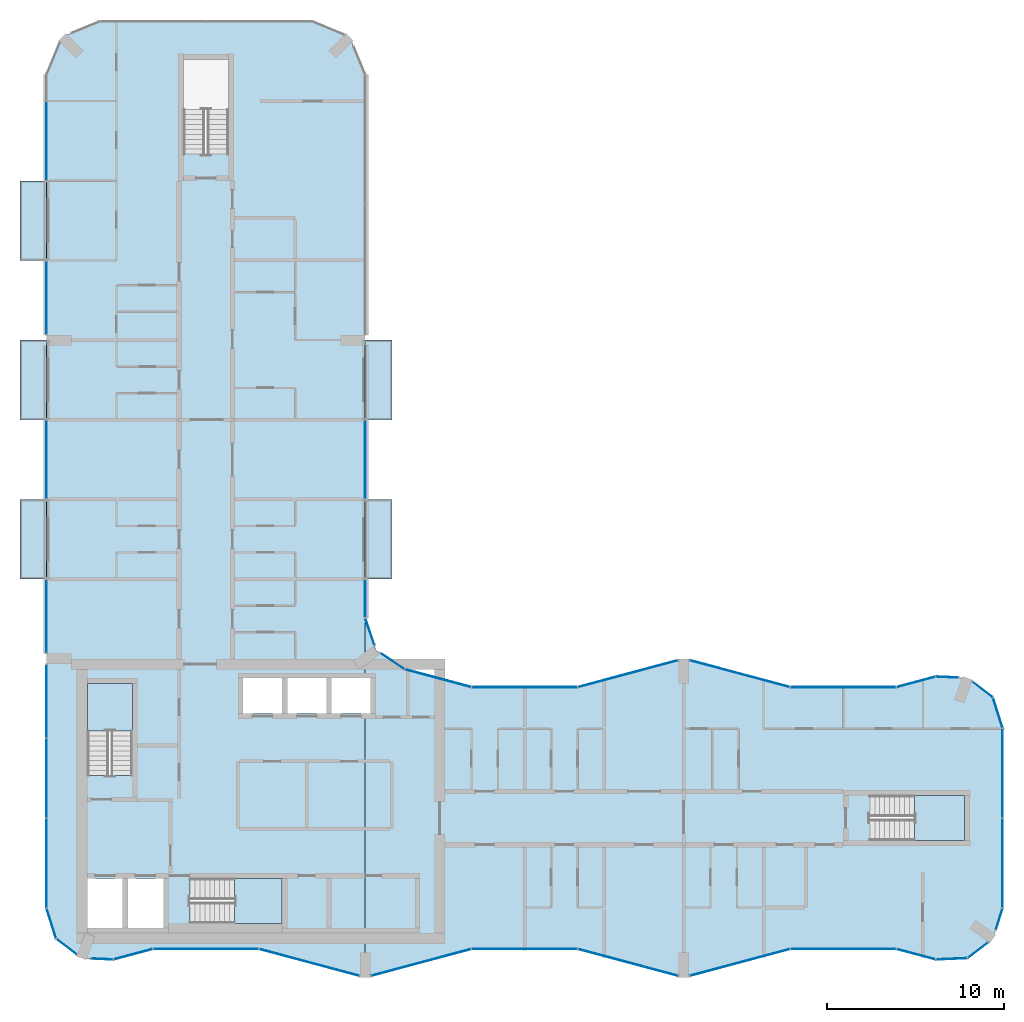
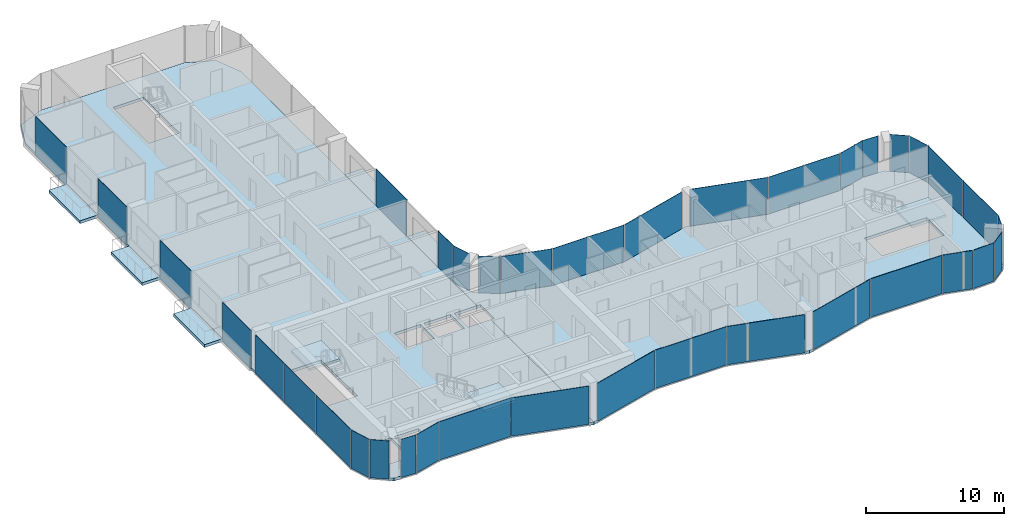
# One storey, part 8 of 16: 37 plates, 10 slabs, 37 elements without a shape of their own.
"""IFC4 building model written with IfcOpenShell, lengths in metres."""

import ifcopenshell
import ifcopenshell.guid

model = None  # the IFC model being written
_history = None  # IfcOwnerHistory: only IFC2X3 demands one
_inside = {}  # id of a spatial element -> (the spatial element, [elements in it])
_under = {}  # id of a project, library or spatial element -> (it, [spatial elements below it])
_declared = {}  # id of a project -> (the project, [libraries it declares])
_typed = {}  # id of a type object -> (the type object, [elements of that type])
_made_of = {}  # id of a material, layer set ... -> (it, [elements and type objects made of it])


def new_model(schema):
    """Start an empty IFC model of exactly this schema.

    Asked for "IFC4X3", IfcOpenShell would pick the latest addendum, in which some entities
    have other attributes; the version numbers below select the first issue.
    IFC2X3 requires an IfcOwnerHistory on every rooted entity: one is made here for all.
    """
    global model, _history
    if schema == "IFC4X3":
        model = ifcopenshell.file(schema_version=(4, 3, 0, 0))
    else:
        model = ifcopenshell.file(schema=schema)
    _inside.clear()
    _under.clear()
    _declared.clear()
    _typed.clear()
    _made_of.clear()
    _history = None
    if model.schema == "IFC2X3":
        org = make("IfcOrganization", Name="unknown")
        user = make(
            "IfcPersonAndOrganization",
            ThePerson=make("IfcPerson", FamilyName="unknown"),
            TheOrganization=org,
        )
        app = make(
            "IfcApplication",
            ApplicationDeveloper=org,
            Version="unknown",
            ApplicationFullName="unknown",
            ApplicationIdentifier="unknown",
        )
        _history = make(
            "IfcOwnerHistory",
            OwningUser=user,
            OwningApplication=app,
            ChangeAction="ADDED",
            CreationDate=0,
        )
    return model


def make(cls, **values):
    """One entity of the class cls with the attributes given. An attribute that is None is left unset."""
    return model.create_entity(
        cls, **{name: value for name, value in values.items() if value is not None}
    )


def rooted(cls, **values):
    """An entity with a GlobalId (a new one), such as an element, a storey or a relation."""
    return make(cls, GlobalId=ifcopenshell.guid.new(), OwnerHistory=_history, **values)


def si_unit(unit_type, name, prefix=None):
    """IfcSIUnit, for example si_unit("LENGTHUNIT", "METRE", prefix="MILLI")."""
    return make("IfcSIUnit", UnitType=unit_type, Prefix=prefix, Name=name)


def assignment(units):
    """IfcUnitAssignment: the units of a project."""
    return None if units is None else make("IfcUnitAssignment", Units=units)


def point(xyz):
    """IfcCartesianPoint."""
    return None if xyz is None else make("IfcCartesianPoint", Coordinates=xyz)


def direction(xyz):
    """IfcDirection."""
    return None if xyz is None else make("IfcDirection", DirectionRatios=xyz)


def frame(location, z_axis=None, x_axis=None):
    """IfcAxis2Placement3D, a coordinate frame: its origin and axes. An axis left out is left unset."""
    return make(
        "IfcAxis2Placement3D",
        Location=point(location),
        Axis=direction(z_axis),
        RefDirection=direction(x_axis),
    )


def frame_2d(location, x_axis=None):
    """IfcAxis2Placement2D, a coordinate frame in the plane: its origin and x axis."""
    return make(
        "IfcAxis2Placement2D", Location=point(location), RefDirection=direction(x_axis)
    )


def origin():
    """The frame at (0, 0, 0) with its axes left unset."""
    return frame((0.0, 0.0, 0.0))


def origin_2d():
    """The frame at (0, 0) in the plane with its x axis left unset."""
    return frame_2d((0.0, 0.0))


def place(relative_to, where):
    """IfcLocalPlacement: puts the frame where relative to a parent placement (None: the world)."""
    return make(
        "IfcLocalPlacement", PlacementRelTo=relative_to, RelativePlacement=where
    )


def context(
    kind, dimensions, precision=None, world=None, true_north=None, identifier=None
):
    """IfcGeometricRepresentationContext, for example the 3D "Model" context."""
    return make(
        "IfcGeometricRepresentationContext",
        ContextIdentifier=identifier,
        ContextType=kind,
        CoordinateSpaceDimension=dimensions,
        Precision=precision,
        WorldCoordinateSystem=world,
        TrueNorth=true_north,
    )


def subcontext(parent, identifier, kind, view, scale=None):
    """IfcGeometricRepresentationSubContext, for example "Body" below "Model"."""
    return make(
        "IfcGeometricRepresentationSubContext",
        ContextIdentifier=identifier,
        ContextType=kind,
        ParentContext=parent,
        TargetScale=scale,
        TargetView=view,
    )


def project(units=None, contexts=None):
    """IfcProject with its units and contexts."""
    return rooted(
        "IfcProject",
        Name="project",
        RepresentationContexts=contexts,
        UnitsInContext=assignment(units),
    )


def spatial(cls, under=None, at=None, **own):
    """A site, building, storey or space (cls), placed at a placement, below another one or the project."""
    s = rooted(cls, ObjectPlacement=at, **own)
    if under is not None:
        _under.setdefault(under.id(), (under, []))[1].append(s)
    return s


def polyline(points):
    """IfcPolyline through the points."""
    return make("IfcPolyline", Points=[point(p) for p in points])


def profile(cls, at=None, kind="AREA", **sizes):
    """A parametric profile (cls). Its sizes go by their IFC names, for example OverallWidth=200.0."""
    return make(cls, ProfileType=kind, Position=at, **sizes)


def rectangle(**sizes):
    """IfcRectangleProfileDef."""
    return profile("IfcRectangleProfileDef", **sizes)


def outline(outer, holes=None, kind="AREA"):
    """IfcArbitraryClosedProfileDef: a profile drawn as a closed curve; with holes, ...WithVoids."""
    if holes is None:
        return make("IfcArbitraryClosedProfileDef", ProfileType=kind, OuterCurve=outer)
    return make(
        "IfcArbitraryProfileDefWithVoids",
        ProfileType=kind,
        OuterCurve=outer,
        InnerCurves=holes,
    )


def extrude(swept, where, along, depth):
    """IfcExtrudedAreaSolid: the profile swept, set in the frame where, extruded along a direction by depth."""
    return make(
        "IfcExtrudedAreaSolid",
        SweptArea=swept,
        Position=where,
        ExtrudedDirection=direction(along),
        Depth=depth,
    )


def shape(context_of_items, identifier, shape_type, items):
    """IfcShapeRepresentation: the items that make up one representation, for example the "Body"."""
    return make(
        "IfcShapeRepresentation",
        ContextOfItems=context_of_items,
        RepresentationIdentifier=identifier,
        RepresentationType=shape_type,
        Items=items,
    )


def material(Name=None, Category=None):
    """IfcMaterial."""
    return make("IfcMaterial", Name=Name, Category=Category)


def layer(
    of_material, thickness, ventilated=None, Name=None, Category=None, Priority=None
):
    """IfcMaterialLayer: one layer of a wall or slab, of a material (None: an air gap)."""
    return make(
        "IfcMaterialLayer",
        Material=of_material,
        LayerThickness=thickness,
        IsVentilated=ventilated,
        Name=Name,
        Category=Category,
        Priority=Priority,
    )


def layer_set(layers, Name=None):
    """IfcMaterialLayerSet."""
    return make("IfcMaterialLayerSet", MaterialLayers=layers, LayerSetName=Name)


def made_of(thing, what):
    """Note that an element or type object is made of a material, layer set ...; save() writes the relation."""
    if what is not None:
        _made_of.setdefault(what.id(), (what, []))[1].append(thing)
    return thing


def type_object(cls, material=None, **own):
    """A type object (cls), such as IfcWallType, which elements share."""
    return made_of(rooted(cls, **own), material)


def element(
    cls,
    number,
    at=None,
    inside=None,
    cuts=None,
    type_object=None,
    material=None,
    context=None,
    identifier="Body",
    shape_type=None,
    held_by="IfcProductDefinitionShape",
    body=None,
    shapes=None,
    **own,
):
    """One element of the class cls, such as IfcWall. Its Tag is "e" and its number.

    at: its placement. inside: the storey or other place that contains it. cuts: it is an
    opening in that element (IfcRelVoidsElement). A single representation is given by context,
    identifier, shape_type and body (its items); several are given by shapes. held_by: the class
    of the entity that holds the representations. save() writes the other relations.
    """
    e = rooted(cls, Tag="e%d" % number, ObjectPlacement=at, **own)
    if body is not None:
        shapes = [shape(context, identifier, shape_type, body)]
    if shapes is not None:
        e.Representation = make(held_by, Representations=shapes)
    if inside is not None:
        _inside.setdefault(inside.id(), (inside, []))[1].append(e)
    if cuts is not None:
        rooted(
            "IfcRelVoidsElement", RelatingBuildingElement=cuts, RelatedOpeningElement=e
        )
    if type_object is not None:
        _typed.setdefault(type_object.id(), (type_object, []))[1].append(e)
    return made_of(e, material)


def aggregate(whole, parts):
    """IfcRelAggregates: a whole, such as a stair, and the parts it consists of."""
    return rooted("IfcRelAggregates", RelatingObject=whole, RelatedObjects=parts)


def save(model, path):
    """Write the relations noted so far, then the file.

    IfcRelAggregates (storeys below a building ...), IfcRelContainedInSpatialStructure (elements
    in a storey), IfcRelDefinesByType, IfcRelAssociatesMaterial and IfcRelDeclares: one each for
    every whole, place, type object, material and project.
    """
    for whole, parts in _under.values():
        aggregate(whole, parts)
    for where, things in _inside.values():
        rooted(
            "IfcRelContainedInSpatialStructure",
            RelatedElements=things,
            RelatingStructure=where,
        )
    for kind, things in _typed.values():
        rooted("IfcRelDefinesByType", RelatedObjects=things, RelatingType=kind)
    for what, things in _made_of.values():
        rooted("IfcRelAssociatesMaterial", RelatedObjects=things, RelatingMaterial=what)
    for by, libraries in _declared.values():
        rooted("IfcRelDeclares", RelatingContext=by, RelatedDefinitions=libraries)
    model.write(path)


model = new_model("IFC4")

# Units and contexts
model_context = context("Model", 3, precision=1e-05, world=origin(), true_north=direction((0.0, 1.0)))
body_context = subcontext(model_context, "Body", "Model", "MODEL_VIEW")
ifc_project = project(units=[si_unit("LENGTHUNIT", "METRE"), si_unit("AREAUNIT", "SQUARE_METRE"), si_unit("VOLUMEUNIT", "CUBIC_METRE"), si_unit("PLANEANGLEUNIT", "RADIAN"), si_unit("MASSUNIT", "GRAM", prefix="KILO")], contexts=[model_context])

# Site, building, storey
site_placement = place(None, origin())
site = spatial("IfcSite", under=ifc_project, at=site_placement, CompositionType="ELEMENT")
building_placement = place(site_placement, origin())
building = spatial("IfcBuilding", under=site, at=building_placement, Name="Plateau Cross Towers", CompositionType="ELEMENT")
storey_placement = place(building_placement, frame((0.0, 0.0, 160.39990234375)))
storey = spatial("IfcBuildingStorey", under=building, at=storey_placement, Name="L41", CompositionType="ELEMENT", Elevation=160.39990234375)

# Slabs
ifc_material_1 = material(Name="Concrete C40/50", Category="concrete")
ifc_layer_1 = layer(ifc_material_1, 0.25)
ifc_layer_set_1 = layer_set([ifc_layer_1], Name="Concrete C40/50")
slab_type_1 = type_object("IfcSlabType", Name="Balcony slab 250", PredefinedType="FLOOR", material=ifc_layer_set_1)
slab_1_placement = place(storey_placement, frame((0.0, 0.0, -0.25)))
element("IfcSlab", 1, at=slab_1_placement, inside=storey, type_object=slab_type_1, Name="Balcony slab A-BAL-L41-01", PredefinedType="FLOOR", context=body_context, shape_type="SweptSolid", body=[
    extrude(outline(polyline([(0.0, 22.5), (0.0, 27.0), (-1.5, 27.0), (-1.5, 22.5), (0.0, 22.5)])), origin(), (0.0, 0.0, 1.0), 0.25),
])
slab_2_placement = place(storey_placement, frame((0.0, 0.0, -0.25)))
element("IfcSlab", 2, at=slab_2_placement, inside=storey, type_object=slab_type_1, Name="Balcony slab A-BAL-L41-02", PredefinedType="FLOOR", context=body_context, shape_type="SweptSolid", body=[
    extrude(outline(polyline([(0.0, 31.5), (0.0, 36.0), (-1.5, 36.0), (-1.5, 31.5), (0.0, 31.5)])), origin(), (0.0, 0.0, 1.0), 0.25),
])
slab_3_placement = place(storey_placement, frame((0.0, 0.0, -0.25)))
element("IfcSlab", 3, at=slab_3_placement, inside=storey, type_object=slab_type_1, Name="Balcony slab A-BAL-L41-03", PredefinedType="FLOOR", context=body_context, shape_type="SweptSolid", body=[
    extrude(outline(polyline([(0.0, 40.5), (0.0, 45.0), (-1.5, 45.0), (-1.5, 40.5), (0.0, 40.5)])), origin(), (0.0, 0.0, 1.0), 0.25),
])
slab_4_placement = place(storey_placement, frame((0.0, 0.0, -0.25)))
element("IfcSlab", 4, at=slab_4_placement, inside=storey, type_object=slab_type_1, Name="Balcony slab A-BAL-L41-04", PredefinedType="FLOOR", context=body_context, shape_type="SweptSolid", body=[
    extrude(outline(polyline([(19.5, 22.5), (19.5, 27.0), (18.0, 27.0), (18.0, 22.5), (19.5, 22.5)])), origin(), (0.0, 0.0, 1.0), 0.25),
])
slab_5_placement = place(storey_placement, frame((0.0, 0.0, -0.25)))
element("IfcSlab", 5, at=slab_5_placement, inside=storey, type_object=slab_type_1, Name="Balcony slab A-BAL-L41-05", PredefinedType="FLOOR", context=body_context, shape_type="SweptSolid", body=[
    extrude(outline(polyline([(19.5, 31.5), (19.5, 36.0), (18.0, 36.0), (18.0, 31.5), (19.5, 31.5)])), origin(), (0.0, 0.0, 1.0), 0.25),
])

# Curtain wall, plate
ifc_material_2 = material(Name="Dark low-iron glass", Category="glass")
ifc_layer_2 = layer(ifc_material_2, 0.239990234375)
ifc_layer_set_2 = layer_set([ifc_layer_2], Name="Dark low-iron glass")
curtain_wall_type_1 = type_object("IfcCurtainWallType", Name="Curtain wall flush unitised CW-B", PredefinedType="NOTDEFINED", material=ifc_layer_set_2)
curtain_wall_1_placement = place(storey_placement, origin())
curtain_wall_1 = element("IfcCurtainWall", 6, at=curtain_wall_1_placement, inside=storey, type_object=curtain_wall_type_1, Name="ENV/A/L41/A502_10", PredefinedType="NOTDEFINED")
ifc_layer_3 = layer(ifc_material_2, 0.031982421875)
ifc_layer_set_3 = layer_set([ifc_layer_3], Name="Dark low-iron glass")
plate_type_1 = type_object("IfcPlateType", Name="Glass panel 32 flush unitised", PredefinedType="CURTAIN_PANEL", material=ifc_layer_set_3)
plate_1_placement = place(storey_placement, frame((51.125, 1.05078125, -0.1298828125), z_axis=(0.0, 0.0, 1.0), x_axis=(0.999043701491, 0.043722791671, 0.0)))
plate_1 = element("IfcPlate", 7, at=plate_1_placement, type_object=plate_type_1, Name="CW-B panel 1", PredefinedType="CURTAIN_PANEL", context=body_context, shape_type="SweptSolid", body=[
    extrude(rectangle(XDim=1.744140625, YDim=0.031982421875, at=origin_2d()), origin(), (0.0, 0.0, 1.0), 3.3798828125),
])
aggregate(curtain_wall_1, [plate_1])

curtain_wall_2_placement = place(storey_placement, origin())
curtain_wall_2 = element("IfcCurtainWall", 8, at=curtain_wall_2_placement, inside=storey, type_object=curtain_wall_type_1, Name="ENV/A/L41/A520_11", PredefinedType="NOTDEFINED")
plate_2_placement = place(storey_placement, frame((52.60986328125, 1.5380859375, -0.1298828125), z_axis=(0.0, 0.0, 1.0), x_axis=(0.793315514529, 0.608810721331, 0.0)))
plate_2 = element("IfcPlate", 9, at=plate_2_placement, type_object=plate_type_1, Name="CW-B panel 1", PredefinedType="CURTAIN_PANEL", context=body_context, shape_type="SweptSolid", body=[
    extrude(rectangle(XDim=1.41162109375, YDim=0.031982421875, at=origin_2d()), origin(), (0.0, 0.0, 1.0), 3.3798828125),
])
aggregate(curtain_wall_2, [plate_2])

curtain_wall_3_placement = place(storey_placement, origin())
curtain_wall_3 = element("IfcCurtainWall", 10, at=curtain_wall_3_placement, inside=storey, type_object=curtain_wall_type_1, Name="ENV/A/L41/A536_27", PredefinedType="NOTDEFINED")
plate_3_placement = place(storey_placement, frame((53.805419921875, 3.292236328125, -0.1298828125), z_axis=(0.0, 0.0, 1.0), x_axis=(0.300686174994, 0.95372313811, 0.0)))
plate_3 = element("IfcPlate", 11, at=plate_3_placement, type_object=plate_type_1, Name="CW-B panel 1", PredefinedType="CURTAIN_PANEL", context=body_context, shape_type="SweptSolid", body=[
    extrude(rectangle(XDim=1.233642578125, YDim=0.031982421875, at=origin_2d()), origin(), (0.0, 0.0, 1.0), 3.3798828125),
])
aggregate(curtain_wall_3, [plate_3])

# Curtain wall, plates
curtain_wall_4_placement = place(storey_placement, origin())
curtain_wall_4 = element("IfcCurtainWall", 12, at=curtain_wall_4_placement, inside=storey, type_object=curtain_wall_type_1, Name="ENV/A/L41/A540_39", PredefinedType="NOTDEFINED")
plate_4_placement = place(storey_placement, frame((54.0, 6.45458984375, -0.1298828125), z_axis=(0.0, 0.0, 1.0), x_axis=(0.0, 1.0, 0.0)))
plate_4 = element("IfcPlate", 13, at=plate_4_placement, type_object=plate_type_1, Name="CW-B panel 1", PredefinedType="CURTAIN_PANEL", context=body_context, shape_type="SweptSolid", body=[
    extrude(rectangle(XDim=5.03076171875, YDim=0.031982421875, at=origin_2d()), origin(), (0.0, 0.0, 1.0), 3.3798828125),
])
plate_5_placement = place(storey_placement, frame((54.0, 11.54541015625, -0.1298828125), z_axis=(0.0, 0.0, 1.0), x_axis=(0.0, 1.0, 0.0)))
plate_5 = element("IfcPlate", 14, at=plate_5_placement, type_object=plate_type_1, Name="CW-B panel 2", PredefinedType="CURTAIN_PANEL", context=body_context, shape_type="SweptSolid", body=[
    extrude(rectangle(XDim=5.03076171875, YDim=0.031982421875, at=origin_2d()), origin(), (0.0, 0.0, 1.0), 3.3798828125),
])
aggregate(curtain_wall_4, [plate_4, plate_5])

# Curtain wall, plate
curtain_wall_5_placement = place(storey_placement, origin())
curtain_wall_5 = element("IfcCurtainWall", 15, at=curtain_wall_5_placement, inside=storey, type_object=curtain_wall_type_1, Name="ENV/A/L41/A540_141", PredefinedType="NOTDEFINED")
plate_6_placement = place(storey_placement, frame((53.728759765625, 14.951171875, -0.1298828125), z_axis=(0.0, 0.0, 1.0), x_axis=(-0.300686174994, 0.95372313811, 0.0)))
plate_6 = element("IfcPlate", 16, at=plate_6_placement, type_object=plate_type_1, Name="CW-B panel 1", PredefinedType="CURTAIN_PANEL", context=body_context, shape_type="SweptSolid", body=[
    extrude(rectangle(XDim=1.744140625, YDim=0.031982421875, at=origin_2d()), origin(), (0.0, 0.0, 1.0), 3.3798828125),
])
aggregate(curtain_wall_5, [plate_6])

curtain_wall_6_placement = place(storey_placement, origin())
curtain_wall_6 = element("IfcCurtainWall", 17, at=curtain_wall_6_placement, inside=storey, type_object=curtain_wall_type_1, Name="ENV/A/L41/A535_158", PredefinedType="NOTDEFINED")
plate_7_placement = place(storey_placement, frame((52.873779296875, 16.25927734375, -0.1298828125), z_axis=(0.0, 0.0, 1.0), x_axis=(-0.793315514529, 0.608810721331, 0.0)))
plate_7 = element("IfcPlate", 18, at=plate_7_placement, type_object=plate_type_1, Name="CW-B panel 1", PredefinedType="CURTAIN_PANEL", context=body_context, shape_type="SweptSolid", body=[
    extrude(rectangle(XDim=1.41162109375, YDim=0.031982421875, at=origin_2d()), origin(), (0.0, 0.0, 1.0), 3.3798828125),
])
aggregate(curtain_wall_6, [plate_7])

curtain_wall_7_placement = place(storey_placement, origin())
curtain_wall_7 = element("IfcCurtainWall", 19, at=curtain_wall_7_placement, inside=storey, type_object=curtain_wall_type_1, Name="ENV/A/L41/A515_169", PredefinedType="NOTDEFINED")
plate_8_placement = place(storey_placement, frame((50.8701171875, 16.96044921875, -0.1298828125), z_axis=(0.0, 0.0, 1.0), x_axis=(-0.999043701491, 0.043722791671, 0.0)))
plate_8 = element("IfcPlate", 20, at=plate_8_placement, type_object=plate_type_1, Name="CW-B panel 1", PredefinedType="CURTAIN_PANEL", context=body_context, shape_type="SweptSolid", body=[
    extrude(rectangle(XDim=1.233642578125, YDim=0.031982421875, at=origin_2d()), origin(), (0.0, 0.0, 1.0), 3.3798828125),
])
aggregate(curtain_wall_7, [plate_8])

curtain_wall_8_placement = place(storey_placement, origin())
curtain_wall_8 = element("IfcCurtainWall", 21, at=curtain_wall_8_placement, inside=storey, type_object=curtain_wall_type_1, Name="ENV/A/L41/A202_174", PredefinedType="NOTDEFINED")
plate_9_placement = place(storey_placement, frame((19.546630859375, 17.856689453125, -0.1298828125), z_axis=(0.0, 0.0, 1.0), x_axis=(-0.831521253329, 0.555492938984, 0.0)))
plate_9 = element("IfcPlate", 22, at=plate_9_placement, type_object=plate_type_1, Name="CW-B panel 1", PredefinedType="CURTAIN_PANEL", context=body_context, shape_type="SweptSolid", body=[
    extrude(rectangle(XDim=1.56884765625, YDim=0.031982421875, at=origin_2d()), origin(), (0.0, 0.0, 1.0), 3.3798828125),
])
aggregate(curtain_wall_8, [plate_9])

curtain_wall_9_placement = place(storey_placement, origin())
curtain_wall_9 = element("IfcCurtainWall", 23, at=curtain_wall_9_placement, inside=storey, type_object=curtain_wall_type_1, Name="ENV/A/L41/A185_188", PredefinedType="NOTDEFINED")
plate_10_placement = place(storey_placement, frame((18.26171875, 19.531005859375, -0.1298828125), z_axis=(0.0, 0.0, 1.0), x_axis=(-0.321469161574, 0.94692004845, 0.0)))
plate_10 = element("IfcPlate", 24, at=plate_10_placement, type_object=plate_type_1, Name="CW-B panel 1", PredefinedType="CURTAIN_PANEL", context=body_context, shape_type="SweptSolid", body=[
    extrude(rectangle(XDim=1.56884765625, YDim=0.031982421875, at=origin_2d()), origin(), (0.0, 0.0, 1.0), 3.3798828125),
])
aggregate(curtain_wall_9, [plate_10])

curtain_wall_10_placement = place(storey_placement, origin())
curtain_wall_10 = element("IfcCurtainWall", 25, at=curtain_wall_10_placement, inside=storey, type_object=curtain_wall_type_1, Name="ENV/A/L41/A180_203", PredefinedType="NOTDEFINED")
plate_11_placement = place(storey_placement, frame((18.0, 21.396240234375, -0.1298828125), z_axis=(0.0, 0.0, 1.0), x_axis=(0.0, 1.0, 0.0)))
plate_11 = element("IfcPlate", 26, at=plate_11_placement, type_object=plate_type_1, Name="CW-B panel 1", PredefinedType="CURTAIN_PANEL", context=body_context, shape_type="SweptSolid", body=[
    extrude(rectangle(XDim=2.127685546875, YDim=0.031982421875, at=origin_2d()), origin(), (0.0, 0.0, 1.0), 3.3798828125),
])
aggregate(curtain_wall_10, [plate_11])

curtain_wall_11_placement = place(storey_placement, origin())
curtain_wall_11 = element("IfcCurtainWall", 27, at=curtain_wall_11_placement, inside=storey, type_object=curtain_wall_type_1, Name="ENV/A/L41/A180_270", PredefinedType="NOTDEFINED")
plate_12_placement = place(storey_placement, frame((18.0, 29.25, -0.1298828125), z_axis=(0.0, 0.0, 1.0), x_axis=(0.0, 1.0, 0.0)))
plate_12 = element("IfcPlate", 28, at=plate_12_placement, type_object=plate_type_1, Name="CW-B panel 1", PredefinedType="CURTAIN_PANEL", context=body_context, shape_type="SweptSolid", body=[
    extrude(rectangle(XDim=4.419921875, YDim=0.031982421875, at=origin_2d()), origin(), (0.0, 0.0, 1.0), 3.3798828125),
])
aggregate(curtain_wall_11, [plate_12])

curtain_wall_12_placement = place(storey_placement, origin())
curtain_wall_12 = element("IfcCurtainWall", 29, at=curtain_wall_12_placement, inside=storey, type_object=curtain_wall_type_1, Name="ENV/A/L41/A0_510", PredefinedType="NOTDEFINED")
plate_13_placement = place(storey_placement, frame((0.0, 47.2548828125, -0.1298828125), z_axis=(0.0, 0.0, 1.0), x_axis=(0.0, -1.0, 0.0)))
plate_13 = element("IfcPlate", 30, at=plate_13_placement, type_object=plate_type_1, Name="CW-B panel 2", PredefinedType="CURTAIN_PANEL", context=body_context, shape_type="SweptSolid", body=[
    extrude(rectangle(XDim=4.429931640625, YDim=0.031982421875, at=origin_2d()), origin(), (0.0, 0.0, 1.0), 3.3798828125),
])
aggregate(curtain_wall_12, [plate_13])

curtain_wall_13_placement = place(storey_placement, origin())
curtain_wall_13 = element("IfcCurtainWall", 31, at=curtain_wall_13_placement, inside=storey, type_object=curtain_wall_type_1, Name="ENV/A/L41/A0_405", PredefinedType="NOTDEFINED")
plate_14_placement = place(storey_placement, frame((0.0, 38.39501953125, -0.1298828125), z_axis=(0.0, 0.0, 1.0), x_axis=(0.0, -1.0, 0.0)))
plate_14 = element("IfcPlate", 32, at=plate_14_placement, type_object=plate_type_1, Name="CW-B panel 1", PredefinedType="CURTAIN_PANEL", context=body_context, shape_type="SweptSolid", body=[
    extrude(rectangle(XDim=4.1298828125, YDim=0.031982421875, at=origin_2d()), origin(), (0.0, 0.0, 1.0), 3.3798828125),
])
aggregate(curtain_wall_13, [plate_14])

curtain_wall_14_placement = place(storey_placement, origin())
curtain_wall_14 = element("IfcCurtainWall", 33, at=curtain_wall_14_placement, inside=storey, type_object=curtain_wall_type_1, Name="ENV/A/L41/A0_315", PredefinedType="NOTDEFINED")
plate_15_placement = place(storey_placement, frame((0.0, 29.25, -0.1298828125), z_axis=(0.0, 0.0, 1.0), x_axis=(0.0, -1.0, 0.0)))
plate_15 = element("IfcPlate", 34, at=plate_15_placement, type_object=plate_type_1, Name="CW-B panel 1", PredefinedType="CURTAIN_PANEL", context=body_context, shape_type="SweptSolid", body=[
    extrude(rectangle(XDim=4.419921875, YDim=0.031982421875, at=origin_2d()), origin(), (0.0, 0.0, 1.0), 3.3798828125),
])
aggregate(curtain_wall_14, [plate_15])

curtain_wall_15_placement = place(storey_placement, origin())
curtain_wall_15 = element("IfcCurtainWall", 35, at=curtain_wall_15_placement, inside=storey, type_object=curtain_wall_type_1, Name="ENV/A/L41/A0_225", PredefinedType="NOTDEFINED")
plate_16_placement = place(storey_placement, frame((0.0, 20.39501953125, -0.1298828125), z_axis=(0.0, 0.0, 1.0), x_axis=(0.0, -1.0, 0.0)))
plate_16 = element("IfcPlate", 36, at=plate_16_placement, type_object=plate_type_1, Name="CW-B panel 1", PredefinedType="CURTAIN_PANEL", context=body_context, shape_type="SweptSolid", body=[
    extrude(rectangle(XDim=4.1298828125, YDim=0.031982421875, at=origin_2d()), origin(), (0.0, 0.0, 1.0), 3.3798828125),
])
aggregate(curtain_wall_15, [plate_16])

# Curtain wall, plates
curtain_wall_16_placement = place(storey_placement, origin())
curtain_wall_16 = element("IfcCurtainWall", 37, at=curtain_wall_16_placement, inside=storey, type_object=curtain_wall_type_1, Name="ENV/A/L41/A0_177", PredefinedType="NOTDEFINED")
plate_17_placement = place(storey_placement, frame((0.0, 15.60009765625, -0.1298828125), z_axis=(0.0, 0.0, 1.0), x_axis=(0.0, -1.0, 0.0)))
plate_17 = element("IfcPlate", 38, at=plate_17_placement, type_object=plate_type_1, Name="CW-B panel 1", PredefinedType="CURTAIN_PANEL", context=body_context, shape_type="SweptSolid", body=[
    extrude(rectangle(XDim=4.139892578125, YDim=0.031982421875, at=origin_2d()), origin(), (0.0, 0.0, 1.0), 3.3798828125),
])
plate_18_placement = place(storey_placement, frame((0.0, 11.25, -0.1298828125), z_axis=(0.0, 0.0, 1.0), x_axis=(0.0, -1.0, 0.0)))
plate_18 = element("IfcPlate", 39, at=plate_18_placement, type_object=plate_type_1, Name="CW-B panel 2", PredefinedType="CURTAIN_PANEL", context=body_context, shape_type="SweptSolid", body=[
    extrude(rectangle(XDim=4.43994140625, YDim=0.031982421875, at=origin_2d()), origin(), (0.0, 0.0, 1.0), 3.3798828125),
])
plate_19_placement = place(storey_placement, frame((0.0, 6.45458984375, -0.1298828125), z_axis=(0.0, 0.0, 1.0), x_axis=(0.0, -1.0, 0.0)))
plate_19 = element("IfcPlate", 40, at=plate_19_placement, type_object=plate_type_1, Name="CW-B panel 3", PredefinedType="CURTAIN_PANEL", context=body_context, shape_type="SweptSolid", body=[
    extrude(rectangle(XDim=5.03076171875, YDim=0.031982421875, at=origin_2d()), origin(), (0.0, 0.0, 1.0), 3.3798828125),
])
aggregate(curtain_wall_16, [plate_17, plate_18, plate_19])

# Curtain wall, plate
curtain_wall_17_placement = place(storey_placement, origin())
curtain_wall_17 = element("IfcCurtainWall", 41, at=curtain_wall_17_placement, inside=storey, type_object=curtain_wall_type_1, Name="ENV/A/L41/A0_39", PredefinedType="NOTDEFINED")
plate_20_placement = place(storey_placement, frame((0.271240234375, 3.048828125, -0.1298828125), z_axis=(0.0, 0.0, 1.0), x_axis=(0.300686174994, -0.95372313811, 0.0)))
plate_20 = element("IfcPlate", 42, at=plate_20_placement, type_object=plate_type_1, Name="CW-B panel 1", PredefinedType="CURTAIN_PANEL", context=body_context, shape_type="SweptSolid", body=[
    extrude(rectangle(XDim=1.744140625, YDim=0.031982421875, at=origin_2d()), origin(), (0.0, 0.0, 1.0), 3.3798828125),
])
aggregate(curtain_wall_17, [plate_20])

curtain_wall_18_placement = place(storey_placement, origin())
curtain_wall_18 = element("IfcCurtainWall", 43, at=curtain_wall_18_placement, inside=storey, type_object=curtain_wall_type_1, Name="ENV/A/L41/A5_22", PredefinedType="NOTDEFINED")
plate_21_placement = place(storey_placement, frame((1.126220703125, 1.74072265625, -0.1298828125), z_axis=(0.0, 0.0, 1.0), x_axis=(0.793315514529, -0.608810721331, 0.0)))
plate_21 = element("IfcPlate", 44, at=plate_21_placement, type_object=plate_type_1, Name="CW-B panel 1", PredefinedType="CURTAIN_PANEL", context=body_context, shape_type="SweptSolid", body=[
    extrude(rectangle(XDim=1.41162109375, YDim=0.031982421875, at=origin_2d()), origin(), (0.0, 0.0, 1.0), 3.3798828125),
])
aggregate(curtain_wall_18, [plate_21])

curtain_wall_19_placement = place(storey_placement, origin())
curtain_wall_19 = element("IfcCurtainWall", 45, at=curtain_wall_19_placement, inside=storey, type_object=curtain_wall_type_1, Name="ENV/A/L41/A25_11", PredefinedType="NOTDEFINED")
plate_22_placement = place(storey_placement, frame((3.1298828125, 1.03955078125, -0.1298828125), z_axis=(0.0, 0.0, 1.0), x_axis=(0.999043701491, -0.043722791671, 0.0)))
plate_22 = element("IfcPlate", 46, at=plate_22_placement, type_object=plate_type_1, Name="CW-B panel 1", PredefinedType="CURTAIN_PANEL", context=body_context, shape_type="SweptSolid", body=[
    extrude(rectangle(XDim=1.233642578125, YDim=0.031982421875, at=origin_2d()), origin(), (0.0, 0.0, 1.0), 3.3798828125),
])
aggregate(curtain_wall_19, [plate_22])

ifc_layer_4 = layer(ifc_material_2, 0.260009765625)
ifc_layer_set_4 = layer_set([ifc_layer_4], Name="Dark low-iron glass")
curtain_wall_type_2 = type_object("IfcCurtainWallType", Name="Curtain wall fluted unitised CW-A", PredefinedType="NOTDEFINED", material=ifc_layer_set_4)
curtain_wall_20_placement = place(storey_placement, origin())
curtain_wall_20 = element("IfcCurtainWall", 47, at=curtain_wall_20_placement, inside=storey, type_object=curtain_wall_type_2, Name="ENV/A/L41/A38_10", PredefinedType="NOTDEFINED")
ifc_layer_5 = layer(ifc_material_2, 0.035888671875)
ifc_layer_set_5 = layer_set([ifc_layer_5], Name="Dark low-iron glass")
plate_type_2 = type_object("IfcPlateType", Name="Glass panel 36 fluted unitised", PredefinedType="CURTAIN_PANEL", material=ifc_layer_set_5)
plate_23_placement = place(storey_placement, frame((4.887939453125, 1.30908203125, -0.1298828125), z_axis=(0.0, 0.0, 1.0), x_axis=(0.965957962328, 0.258699081978, 0.0)))
plate_23 = element("IfcPlate", 48, at=plate_23_placement, type_object=plate_type_2, Name="CW-A panel 1", PredefinedType="CURTAIN_PANEL", context=body_context, shape_type="SweptSolid", body=[
    extrude(rectangle(XDim=2.2421875, YDim=0.035888671875, at=origin_2d()), origin(), (0.0, 0.0, 1.0), 3.3798828125),
])
aggregate(curtain_wall_20, [plate_23])

curtain_wall_21_placement = place(storey_placement, origin())
curtain_wall_21 = element("IfcCurtainWall", 49, at=curtain_wall_21_placement, inside=storey, type_object=curtain_wall_type_2, Name="ENV/A/L41/A60_16", PredefinedType="NOTDEFINED")
plate_24_placement = place(storey_placement, frame((9.0, 1.60693359375, -0.1298828125), z_axis=(0.0, 0.0, 1.0), x_axis=(1.0, 0.0, 0.0)))
plate_24 = element("IfcPlate", 50, at=plate_24_placement, type_object=plate_type_2, Name="CW-A panel 1", PredefinedType="CURTAIN_PANEL", context=body_context, shape_type="SweptSolid", body=[
    extrude(rectangle(XDim=5.93994140625, YDim=0.035888671875, at=origin_2d()), origin(), (0.0, 0.0, 1.0), 3.3798828125),
])
aggregate(curtain_wall_21, [plate_24])

curtain_wall_22_placement = place(storey_placement, origin())
curtain_wall_22 = element("IfcCurtainWall", 51, at=curtain_wall_22_placement, inside=storey, type_object=curtain_wall_type_2, Name="ENV/A/L41/A120_16", PredefinedType="NOTDEFINED")
plate_25_placement = place(storey_placement, frame((14.841064453125, 0.845947265625, -0.1298828125), z_axis=(0.0, 0.0, 1.0), x_axis=(0.965957983404, -0.258699003279, 0.0)))
plate_25 = element("IfcPlate", 52, at=plate_25_placement, type_object=plate_type_2, Name="CW-A panel 1", PredefinedType="CURTAIN_PANEL", context=body_context, shape_type="SweptSolid", body=[
    extrude(rectangle(XDim=5.822265625, YDim=0.035888671875, at=origin_2d()), origin(), (0.0, 0.0, 1.0), 3.3798828125),
])
aggregate(curtain_wall_22, [plate_25])

curtain_wall_23_placement = place(storey_placement, origin())
curtain_wall_23 = element("IfcCurtainWall", 53, at=curtain_wall_23_placement, inside=storey, type_object=curtain_wall_type_2, Name="ENV/A/L41/A183_1", PredefinedType="NOTDEFINED")
plate_26_placement = place(storey_placement, frame((21.158935546875, 0.845947265625, -0.1298828125), z_axis=(0.0, 0.0, 1.0), x_axis=(0.965957983404, 0.258699003279, 0.0)))
plate_26 = element("IfcPlate", 54, at=plate_26_placement, type_object=plate_type_2, Name="CW-A panel 1", PredefinedType="CURTAIN_PANEL", context=body_context, shape_type="SweptSolid", body=[
    extrude(rectangle(XDim=5.822265625, YDim=0.035888671875, at=origin_2d()), origin(), (0.0, 0.0, 1.0), 3.3798828125),
])
aggregate(curtain_wall_23, [plate_26])

curtain_wall_24_placement = place(storey_placement, origin())
curtain_wall_24 = element("IfcCurtainWall", 55, at=curtain_wall_24_placement, inside=storey, type_object=curtain_wall_type_2, Name="ENV/A/L41/A240_16", PredefinedType="NOTDEFINED")
plate_27_placement = place(storey_placement, frame((27.0, 1.60693359375, -0.1298828125), z_axis=(0.0, 0.0, 1.0), x_axis=(1.0, 0.0, 0.0)))
plate_27 = element("IfcPlate", 56, at=plate_27_placement, type_object=plate_type_2, Name="CW-A panel 1", PredefinedType="CURTAIN_PANEL", context=body_context, shape_type="SweptSolid", body=[
    extrude(rectangle(XDim=5.93994140625, YDim=0.035888671875, at=origin_2d()), origin(), (0.0, 0.0, 1.0), 3.3798828125),
])
aggregate(curtain_wall_24, [plate_27])

curtain_wall_25_placement = place(storey_placement, origin())
curtain_wall_25 = element("IfcCurtainWall", 57, at=curtain_wall_25_placement, inside=storey, type_object=curtain_wall_type_2, Name="ENV/A/L41/A300_16", PredefinedType="NOTDEFINED")
plate_28_placement = place(storey_placement, frame((32.841064453125, 0.845947265625, -0.1298828125), z_axis=(0.0, 0.0, 1.0), x_axis=(0.965957983404, -0.258699003279, 0.0)))
plate_28 = element("IfcPlate", 58, at=plate_28_placement, type_object=plate_type_2, Name="CW-A panel 1", PredefinedType="CURTAIN_PANEL", context=body_context, shape_type="SweptSolid", body=[
    extrude(rectangle(XDim=5.822265625, YDim=0.035888671875, at=origin_2d()), origin(), (0.0, 0.0, 1.0), 3.3798828125),
])
aggregate(curtain_wall_25, [plate_28])

curtain_wall_26_placement = place(storey_placement, origin())
curtain_wall_26 = element("IfcCurtainWall", 59, at=curtain_wall_26_placement, inside=storey, type_object=curtain_wall_type_2, Name="ENV/A/L41/A363_1", PredefinedType="NOTDEFINED")
plate_29_placement = place(storey_placement, frame((39.158935546875, 0.845947265625, -0.1298828125), z_axis=(0.0, 0.0, 1.0), x_axis=(0.965957983404, 0.258699003279, 0.0)))
plate_29 = element("IfcPlate", 60, at=plate_29_placement, type_object=plate_type_2, Name="CW-A panel 1", PredefinedType="CURTAIN_PANEL", context=body_context, shape_type="SweptSolid", body=[
    extrude(rectangle(XDim=5.822265625, YDim=0.035888671875, at=origin_2d()), origin(), (0.0, 0.0, 1.0), 3.3798828125),
])
aggregate(curtain_wall_26, [plate_29])

curtain_wall_27_placement = place(storey_placement, origin())
curtain_wall_27 = element("IfcCurtainWall", 61, at=curtain_wall_27_placement, inside=storey, type_object=curtain_wall_type_2, Name="ENV/A/L41/A420_16", PredefinedType="NOTDEFINED")
plate_30_placement = place(storey_placement, frame((45.0, 1.60693359375, -0.1298828125), z_axis=(0.0, 0.0, 1.0), x_axis=(1.0, 0.0, 0.0)))
plate_30 = element("IfcPlate", 62, at=plate_30_placement, type_object=plate_type_2, Name="CW-A panel 1", PredefinedType="CURTAIN_PANEL", context=body_context, shape_type="SweptSolid", body=[
    extrude(rectangle(XDim=5.93994140625, YDim=0.035888671875, at=origin_2d()), origin(), (0.0, 0.0, 1.0), 3.3798828125),
])
aggregate(curtain_wall_27, [plate_30])

curtain_wall_28_placement = place(storey_placement, origin())
curtain_wall_28 = element("IfcCurtainWall", 63, at=curtain_wall_28_placement, inside=storey, type_object=curtain_wall_type_2, Name="ENV/A/L41/A480_16", PredefinedType="NOTDEFINED")
plate_31_placement = place(storey_placement, frame((49.112060546875, 1.30908203125, -0.1298828125), z_axis=(0.0, 0.0, 1.0), x_axis=(0.965957962328, -0.258699081978, 0.0)))
plate_31 = element("IfcPlate", 64, at=plate_31_placement, type_object=plate_type_2, Name="CW-A panel 1", PredefinedType="CURTAIN_PANEL", context=body_context, shape_type="SweptSolid", body=[
    extrude(rectangle(XDim=2.2421875, YDim=0.035888671875, at=origin_2d()), origin(), (0.0, 0.0, 1.0), 3.3798828125),
])
aggregate(curtain_wall_28, [plate_31])

curtain_wall_29_placement = place(storey_placement, origin())
curtain_wall_29 = element("IfcCurtainWall", 65, at=curtain_wall_29_placement, inside=storey, type_object=curtain_wall_type_2, Name="ENV/A/L41/A502_170", PredefinedType="NOTDEFINED")
plate_32_placement = place(storey_placement, frame((49.112060546875, 16.69091796875, -0.1298828125), z_axis=(0.0, 0.0, 1.0), x_axis=(-0.965957962328, -0.258699081978, 0.0)))
plate_32 = element("IfcPlate", 66, at=plate_32_placement, type_object=plate_type_2, Name="CW-A panel 1", PredefinedType="CURTAIN_PANEL", context=body_context, shape_type="SweptSolid", body=[
    extrude(rectangle(XDim=2.2421875, YDim=0.035888671875, at=origin_2d()), origin(), (0.0, 0.0, 1.0), 3.3798828125),
])
aggregate(curtain_wall_29, [plate_32])

curtain_wall_30_placement = place(storey_placement, origin())
curtain_wall_30 = element("IfcCurtainWall", 67, at=curtain_wall_30_placement, inside=storey, type_object=curtain_wall_type_2, Name="ENV/A/L41/A480_164", PredefinedType="NOTDEFINED")
plate_33_placement = place(storey_placement, frame((45.0, 16.39306640625, -0.1298828125), z_axis=(0.0, 0.0, 1.0), x_axis=(-1.0, 0.0, 0.0)))
plate_33 = element("IfcPlate", 68, at=plate_33_placement, type_object=plate_type_2, Name="CW-A panel 1", PredefinedType="CURTAIN_PANEL", context=body_context, shape_type="SweptSolid", body=[
    extrude(rectangle(XDim=5.93994140625, YDim=0.035888671875, at=origin_2d()), origin(), (0.0, 0.0, 1.0), 3.3798828125),
])
aggregate(curtain_wall_30, [plate_33])

curtain_wall_31_placement = place(storey_placement, origin())
curtain_wall_31 = element("IfcCurtainWall", 69, at=curtain_wall_31_placement, inside=storey, type_object=curtain_wall_type_2, Name="ENV/A/L41/A420_164", PredefinedType="NOTDEFINED")
plate_34_placement = place(storey_placement, frame((39.158935546875, 17.154052734375, -0.1298828125), z_axis=(0.0, 0.0, 1.0), x_axis=(-0.965957983404, 0.258699003279, 0.0)))
plate_34 = element("IfcPlate", 70, at=plate_34_placement, type_object=plate_type_2, Name="CW-A panel 1", PredefinedType="CURTAIN_PANEL", context=body_context, shape_type="SweptSolid", body=[
    extrude(rectangle(XDim=5.822265625, YDim=0.035888671875, at=origin_2d()), origin(), (0.0, 0.0, 1.0), 3.3798828125),
])
aggregate(curtain_wall_31, [plate_34])

curtain_wall_32_placement = place(storey_placement, origin())
curtain_wall_32 = element("IfcCurtainWall", 71, at=curtain_wall_32_placement, inside=storey, type_object=curtain_wall_type_2, Name="ENV/A/L41/A357_179", PredefinedType="NOTDEFINED")
plate_35_placement = place(storey_placement, frame((32.841064453125, 17.154052734375, -0.1298828125), z_axis=(0.0, 0.0, 1.0), x_axis=(-0.965957983404, -0.258699003279, 0.0)))
plate_35 = element("IfcPlate", 72, at=plate_35_placement, type_object=plate_type_2, Name="CW-A panel 1", PredefinedType="CURTAIN_PANEL", context=body_context, shape_type="SweptSolid", body=[
    extrude(rectangle(XDim=5.822265625, YDim=0.035888671875, at=origin_2d()), origin(), (0.0, 0.0, 1.0), 3.3798828125),
])
aggregate(curtain_wall_32, [plate_35])

curtain_wall_33_placement = place(storey_placement, origin())
curtain_wall_33 = element("IfcCurtainWall", 73, at=curtain_wall_33_placement, inside=storey, type_object=curtain_wall_type_2, Name="ENV/A/L41/A300_164", PredefinedType="NOTDEFINED")
plate_36_placement = place(storey_placement, frame((27.0, 16.39306640625, -0.1298828125), z_axis=(0.0, 0.0, 1.0), x_axis=(-1.0, 0.0, 0.0)))
plate_36 = element("IfcPlate", 74, at=plate_36_placement, type_object=plate_type_2, Name="CW-A panel 1", PredefinedType="CURTAIN_PANEL", context=body_context, shape_type="SweptSolid", body=[
    extrude(rectangle(XDim=5.93994140625, YDim=0.035888671875, at=origin_2d()), origin(), (0.0, 0.0, 1.0), 3.3798828125),
])
aggregate(curtain_wall_33, [plate_36])

curtain_wall_34_placement = place(storey_placement, origin())
curtain_wall_34 = element("IfcCurtainWall", 75, at=curtain_wall_34_placement, inside=storey, type_object=curtain_wall_type_2, Name="ENV/A/L41/A240_164", PredefinedType="NOTDEFINED")
plate_37_placement = place(storey_placement, frame((22.112060546875, 16.898681640625, -0.1298828125), z_axis=(0.0, 0.0, 1.0), x_axis=(-0.965957995816, 0.258698956933, 0.0)))
plate_37 = element("IfcPlate", 76, at=plate_37_placement, type_object=plate_type_2, Name="CW-A panel 1", PredefinedType="CURTAIN_PANEL", context=body_context, shape_type="SweptSolid", body=[
    extrude(rectangle(XDim=3.84912109375, YDim=0.035888671875, at=origin_2d()), origin(), (0.0, 0.0, 1.0), 3.3798828125),
])
aggregate(curtain_wall_34, [plate_37])

# Slabs
ifc_layer_6 = layer(ifc_material_1, 0.25)
ifc_layer_set_6 = layer_set([ifc_layer_6], Name="Concrete C40/50")
slab_type_2 = type_object("IfcSlabType", Name="Post-tensioned flat plate slab 250", PredefinedType="FLOOR", material=ifc_layer_set_6)
slab_6_placement = place(storey_placement, frame((0.0, 0.0, -0.25)))
element("IfcSlab", 77, at=slab_6_placement, inside=storey, type_object=slab_type_2, Name="SL-A-L41 1", PredefinedType="FLOOR", context=body_context, shape_type="SweptSolid", body=[
    extrude(outline(polyline([(0.54248046875, 2.1884765625), (0.0, 3.9091796875), (0.0, 51.0), (0.878662109375, 53.121337890625), (3.0, 54.0), (15.0, 54.0), (17.121337890625, 53.121337890625), (18.0, 51.0), (18.0, 20.30224609375), (18.0, 16.89990234375), (16.10009765625, 16.89990234375), (16.10009765625, 14.89990234375), (18.0, 14.89990234375), (18.0, 0.0), (12.0, 1.60693359375), (6.0, 1.60693359375), (3.776123046875, 1.01123046875), (1.9736328125, 1.090087890625), (0.54248046875, 2.1884765625)]), holes=[polyline([(2.300048828125, 5.60009765625), (2.300048828125, 2.800048828125), (4.300048828125, 2.800048828125), (4.300048828125, 5.60009765625), (2.300048828125, 5.60009765625)]), polyline([(4.60009765625, 5.60009765625), (4.60009765625, 2.800048828125), (6.60009765625, 2.800048828125), (6.60009765625, 5.60009765625), (4.60009765625, 5.60009765625)]), polyline([(8.10009765625, 5.60009765625), (8.10009765625, 3.050048828125), (13.300048828125, 3.050048828125), (13.300048828125, 5.60009765625), (8.10009765625, 5.60009765625)]), polyline([(2.300048828125, 11.39990234375), (4.85009765625, 11.39990234375), (4.85009765625, 16.60009765625), (2.300048828125, 16.60009765625), (2.300048828125, 11.39990234375)]), polyline([(11.10009765625, 16.89990234375), (11.10009765625, 14.89990234375), (13.300048828125, 14.89990234375), (13.300048828125, 16.89990234375), (11.10009765625, 16.89990234375)]), polyline([(13.60009765625, 16.89990234375), (13.60009765625, 14.89990234375), (15.800048828125, 14.89990234375), (15.800048828125, 16.89990234375), (13.60009765625, 16.89990234375)]), polyline([(7.72509765625, 51.699951171875), (7.72509765625, 46.5), (10.27490234375, 46.5), (10.27490234375, 51.699951171875), (7.72509765625, 51.699951171875)])]), origin(), (0.0, 0.0, 1.0), 0.25),
])
slab_7_placement = place(storey_placement, frame((0.0, 0.0, -0.25)))
element("IfcSlab", 78, at=slab_7_placement, inside=storey, type_object=slab_type_2, Name="SL-A-L41 2", PredefinedType="FLOOR", context=body_context, shape_type="SweptSolid", body=[
    extrude(outline(polyline([(18.6201171875, 18.475830078125), (20.223876953125, 17.404296875), (24.0, 16.39306640625), (30.0, 16.39306640625), (36.0, 18.0), (42.0, 16.39306640625), (48.0, 16.39306640625), (50.223876953125, 16.98876953125), (52.0263671875, 16.909912109375), (53.45751953125, 15.8115234375), (54.0, 14.0908203125), (54.0, 3.9091796875), (53.45751953125, 2.1884765625), (52.0263671875, 1.090087890625), (50.223876953125, 1.01123046875), (48.0, 1.60693359375), (42.0, 1.60693359375), (36.0, 0.0), (30.0, 1.60693359375), (24.0, 1.60693359375), (18.0, 0.0), (18.0, 14.89990234375), (18.300048828125, 14.89990234375), (18.300048828125, 16.89990234375), (18.0, 16.89990234375), (18.0, 20.30224609375), (18.6201171875, 18.475830078125)]), holes=[polyline([(46.5, 10.27490234375), (46.5, 7.72509765625), (51.699951171875, 7.72509765625), (51.699951171875, 10.27490234375), (46.5, 10.27490234375)])]), origin(), (0.0, 0.0, 1.0), 0.25),
])

# Stair, slab
stair_type = type_object("IfcStairType", Name="ST-TWR", PredefinedType="HALF_TURN_STAIR", material=ifc_material_1)
stair_1_placement = place(storey_placement, origin())
stair_1 = element("IfcStair", 79, at=stair_1_placement, inside=storey, type_object=stair_type, Name="L41 Protected Exit Stair ST-1", PredefinedType="HALF_TURN_STAIR")
ifc_layer_7 = layer(ifc_material_1, 0.199951171875)
ifc_layer_set_7 = layer_set([ifc_layer_7], Name="Concrete C40/50")
slab_type_3 = type_object("IfcSlabType", Name="SL-LANDING", PredefinedType="LANDING", material=ifc_layer_set_7)
slab_8_placement = place(storey_placement, frame((0.0, 0.0, 1.550048828125)))
slab_8 = element("IfcSlab", 80, at=slab_8_placement, type_object=slab_type_3, Name="ST-1 landing 1", PredefinedType="LANDING", context=body_context, shape_type="SweptSolid", body=[
    extrude(outline(polyline([(4.85009765625, 13.919921875), (4.85009765625, 16.60009765625), (2.300048828125, 16.60009765625), (2.300048828125, 13.919921875), (4.85009765625, 13.919921875)])), origin(), (0.0, 0.0, 1.0), 0.199951171875),
])
aggregate(stair_1, [slab_8])

stair_2_placement = place(storey_placement, origin())
stair_2 = element("IfcStair", 81, at=stair_2_placement, inside=storey, type_object=stair_type, Name="L41 Protected Exit Stair ST-2", PredefinedType="HALF_TURN_STAIR")
slab_9_placement = place(storey_placement, frame((0.0, 0.0, 1.550048828125)))
slab_9 = element("IfcSlab", 82, at=slab_9_placement, type_object=slab_type_3, Name="ST-2 landing 1", PredefinedType="LANDING", context=body_context, shape_type="SweptSolid", body=[
    extrude(outline(polyline([(10.6201171875, 3.050048828125), (13.300048828125, 3.050048828125), (13.300048828125, 5.60009765625), (10.6201171875, 5.60009765625), (10.6201171875, 3.050048828125)])), origin(), (0.0, 0.0, 1.0), 0.199951171875),
])
aggregate(stair_2, [slab_9])

stair_3_placement = place(storey_placement, origin())
stair_3 = element("IfcStair", 83, at=stair_3_placement, inside=storey, type_object=stair_type, Name="L41 Protected Exit Stair E", PredefinedType="HALF_TURN_STAIR")
slab_10_placement = place(storey_placement, frame((0.0, 0.0, 1.550048828125)))
slab_10 = element("IfcSlab", 84, at=slab_10_placement, type_object=slab_type_3, Name="ES-E landing 1", PredefinedType="LANDING", context=body_context, shape_type="SweptSolid", body=[
    extrude(outline(polyline([(49.02001953125, 7.72509765625), (51.85009765625, 7.72509765625), (51.85009765625, 10.27490234375), (49.02001953125, 10.27490234375), (49.02001953125, 7.72509765625)])), origin(), (0.0, 0.0, 1.0), 0.199951171875),
])
aggregate(stair_3, [slab_10])

save(model, "model.ifc")
